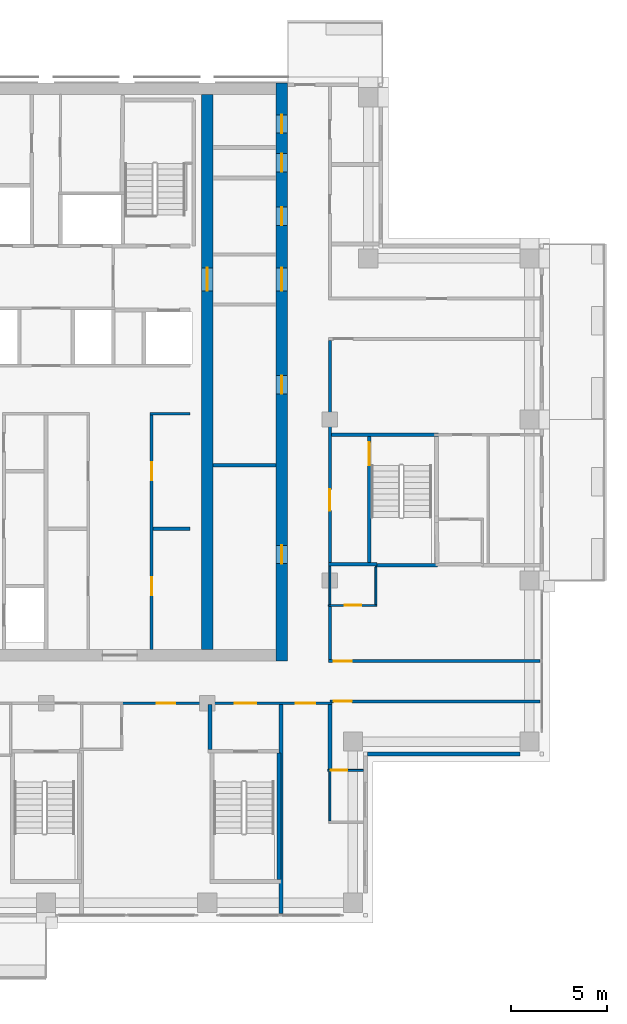
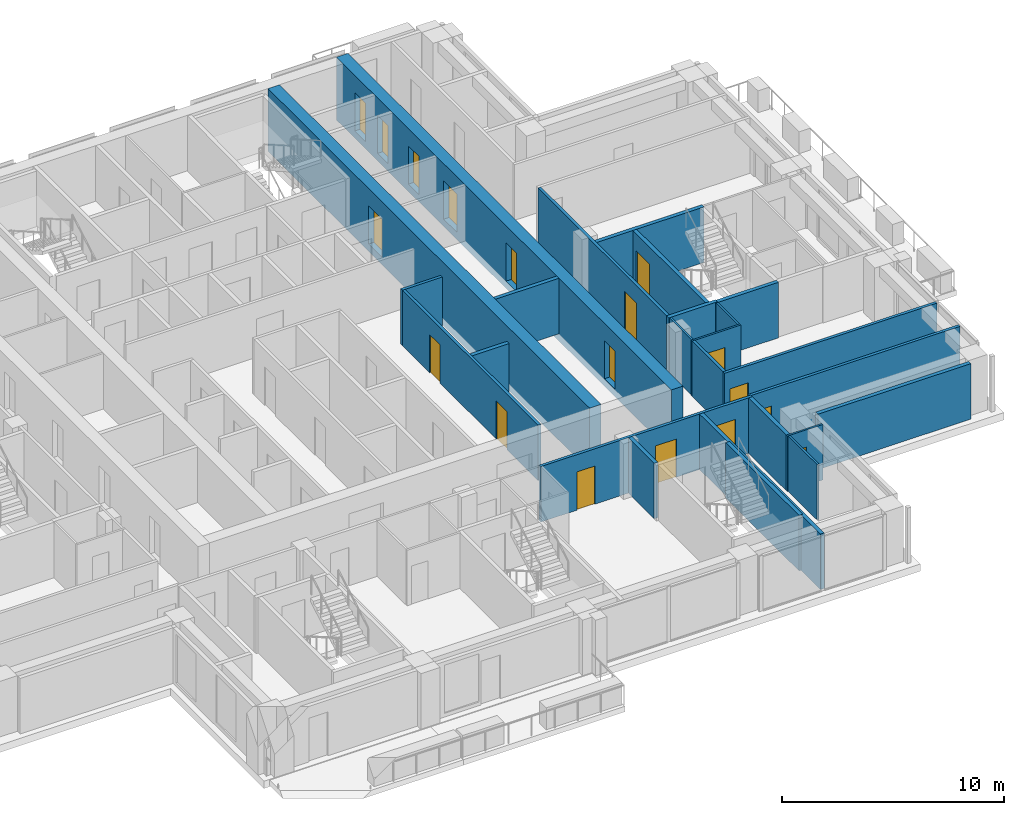
# One storey, part 9 of 17: 25 walls, 18 doors, 18 openings.
"""IFC4 building model written with IfcOpenShell, lengths in metres."""

from ifc_helpers import new_model, si_unit, direction, frame, frame_2d, origin, place, context, subcontext, project, spatial, rectangle, extrude, material, layer, layer_set, type_object, element, fill, save


model = new_model("IFC4")

# Units and contexts
model_context = context("Model", 3, precision=1e-05, world=origin(), true_north=direction((0.0, 1.0)))
body_context = subcontext(model_context, "Body", "Model", "MODEL_VIEW")
ifc_project = project(units=[si_unit("LENGTHUNIT", "METRE"), si_unit("AREAUNIT", "SQUARE_METRE"), si_unit("VOLUMEUNIT", "CUBIC_METRE"), si_unit("PLANEANGLEUNIT", "RADIAN"), si_unit("MASSUNIT", "GRAM", prefix="KILO")], contexts=[model_context])

# Site, building, storey
site_placement = place(None, origin())
site = spatial("IfcSite", under=ifc_project, at=site_placement, CompositionType="ELEMENT")
building_placement = place(site_placement, origin())
building = spatial("IfcBuilding", under=site, at=building_placement, Name="Vermilion Ogive Tower", CompositionType="ELEMENT")
storey_placement = place(building_placement, frame((0.0, 0.0, 196.25)))
storey = spatial("IfcBuildingStorey", under=building, at=storey_placement, Name="L51", CompositionType="ELEMENT", Elevation=196.25)

# Wall, openings, doors
ifc_material_1 = material(Name="Concrete B60", Category="concrete")
ifc_layer_1 = layer(ifc_material_1, 0.60009765625)
ifc_layer_set_1 = layer_set([ifc_layer_1], Name="Core wall 600 B60")
wall_type_1 = type_object("IfcWallType", Name="Core wall 600 B60", PredefinedType="SHEAR", material=ifc_layer_set_1)
wall_1_placement = place(storey_placement, frame((12.300048828125, -8.39990234375, -0.39990234375), z_axis=(0.0, 0.0, 1.0), x_axis=(0.0, 1.0, 0.0)))
wall_1 = element("IfcWall", 1, at=wall_1_placement, inside=storey, type_object=wall_type_1, Name="L51-CORE-E", PredefinedType="SHEAR", context=body_context, shape_type="SweptSolid", body=[
    extrude(rectangle(XDim=30.14990234375, YDim=0.60009765625, at=frame_2d((15.074951171875, 0.0))), origin(), (0.0, 0.0, 1.0), 3.449951171875),
])
opening_1_placement = place(wall_1_placement, frame((5.0830078125, 0.0, 0.39990234375)))
opening_1 = element("IfcOpeningElement", 2, at=opening_1_placement, cuts=wall_1, Name="Opening DAC078", PredefinedType="OPENING", context=body_context, shape_type="SweptSolid", body=[
    extrude(rectangle(XDim=0.949951171875, YDim=2.10009765625, at=frame_2d((0.47509765625, 1.050048828125))), frame((0.0, 0.31005859375, 0.0), z_axis=(0.0, -1.0, 0.0), x_axis=(1.0, 0.0, 0.0)), (0.0, 0.0, 1.0), 0.6201171875),
])
opening_2_placement = place(wall_1_placement, frame((13.932861328125, 0.0, 0.39990234375)))
opening_2 = element("IfcOpeningElement", 3, at=opening_2_placement, cuts=wall_1, Name="Opening DAC079", PredefinedType="OPENING", context=body_context, shape_type="SweptSolid", body=[
    extrude(rectangle(XDim=0.949951171875, YDim=2.10009765625, at=frame_2d((0.47509765625, 1.050048828125))), frame((0.0, 0.31005859375, 0.0), z_axis=(0.0, -1.0, 0.0), x_axis=(1.0, 0.0, 0.0)), (0.0, 0.0, 1.0), 0.6201171875),
])
opening_3_placement = place(wall_1_placement, frame((22.718994140625, 0.0, 0.39990234375)))
opening_3 = element("IfcOpeningElement", 4, at=opening_3_placement, cuts=wall_1, Name="Opening DAC080", PredefinedType="OPENING", context=body_context, shape_type="SweptSolid", body=[
    extrude(rectangle(XDim=0.949951171875, YDim=2.10009765625, at=frame_2d((0.47509765625, 1.050048828125))), frame((0.0, 0.31005859375, 0.0), z_axis=(0.0, -1.0, 0.0), x_axis=(1.0, 0.0, 0.0)), (0.0, 0.0, 1.0), 0.6201171875),
])
opening_4_placement = place(wall_1_placement, frame((25.505615234375, 0.0, 0.39990234375)))
opening_4 = element("IfcOpeningElement", 5, at=opening_4_placement, cuts=wall_1, Name="Opening DAC081", PredefinedType="OPENING", context=body_context, shape_type="SweptSolid", body=[
    extrude(rectangle(XDim=0.949951171875, YDim=2.10009765625, at=frame_2d((0.47509765625, 1.050048828125))), frame((0.0, 0.31005859375, 0.0), z_axis=(0.0, -1.0, 0.0), x_axis=(1.0, 0.0, 0.0)), (0.0, 0.0, 1.0), 0.6201171875),
])
opening_5_placement = place(wall_1_placement, frame((27.53662109375, 0.0, 0.39990234375)))
opening_5 = element("IfcOpeningElement", 6, at=opening_5_placement, cuts=wall_1, Name="Opening DAC082", PredefinedType="OPENING", context=body_context, shape_type="SweptSolid", body=[
    extrude(rectangle(XDim=0.949951171875, YDim=2.10009765625, at=frame_2d((0.47509765625, 1.050048828125))), frame((0.0, 0.31005859375, 0.0), z_axis=(0.0, -1.0, 0.0), x_axis=(1.0, 0.0, 0.0)), (0.0, 0.0, 1.0), 0.6201171875),
])
opening_6_placement = place(wall_1_placement, frame((19.300048828125, 0.0, 0.39990234375)))
opening_6 = element("IfcOpeningElement", 7, at=opening_6_placement, cuts=wall_1, Name="Opening DAL020", PredefinedType="OPENING", context=body_context, shape_type="SweptSolid", body=[
    extrude(rectangle(XDim=1.199951171875, YDim=2.10009765625, at=frame_2d((0.60009765625, 1.050048828125))), frame((0.0, 0.31005859375, 0.0), z_axis=(0.0, -1.0, 0.0), x_axis=(1.0, 0.0, 0.0)), (0.0, 0.0, 1.0), 0.6201171875),
])
ifc_material_2 = material(Name="Timber door leaf", Category="wood")
door_type_1 = type_object("IfcDoorType", Name="Link door 1200 x 2100 FD60S", OperationType="SINGLE_SWING_LEFT", PredefinedType="DOOR", material=ifc_material_2)
door_1_placement = place(opening_6_placement, origin())
door_1 = element("IfcDoor", 8, at=door_1_placement, inside=storey, type_object=door_type_1, Name="L51-CKE-XL", OperationType="SINGLE_SWING_LEFT", OverallHeight=2.10009765625, OverallWidth=1.199951171875, PredefinedType="DOOR", context=body_context, shape_type="SweptSolid", body=[
    extrude(rectangle(XDim=1.199951171875, YDim=2.10009765625, at=frame_2d((0.60009765625, 1.050048828125))), frame((0.0, 0.02490234375, 0.0), z_axis=(0.0, -1.0, 0.0), x_axis=(1.0, 0.0, 0.0)), (0.0, 0.0, 1.0), 0.050048828125),
])
fill(opening_6, door_1)
ifc_material_3 = material(Name="Timber door leaf", Category="wood")
door_type_2 = type_object("IfcDoorType", Name="Service door 950 x 2100 FD60", OperationType="SINGLE_SWING_LEFT", PredefinedType="DOOR", material=ifc_material_3)
door_2_placement = place(opening_1_placement, origin())
door_2 = element("IfcDoor", 9, at=door_2_placement, inside=storey, type_object=door_type_2, Name="L51-CKE-XR0", OperationType="SINGLE_SWING_LEFT", OverallHeight=2.10009765625, OverallWidth=0.949951171875, PredefinedType="DOOR", context=body_context, shape_type="SweptSolid", body=[
    extrude(rectangle(XDim=0.949951171875, YDim=2.10009765625, at=frame_2d((0.47509765625, 1.050048828125))), frame((0.0, 0.02490234375, 0.0), z_axis=(0.0, -1.0, 0.0), x_axis=(1.0, 0.0, 0.0)), (0.0, 0.0, 1.0), 0.050048828125),
])
fill(opening_1, door_2)
door_3_placement = place(opening_2_placement, origin())
door_3 = element("IfcDoor", 10, at=door_3_placement, inside=storey, type_object=door_type_2, Name="L51-CKE-XR1", OperationType="SINGLE_SWING_LEFT", OverallHeight=2.10009765625, OverallWidth=0.949951171875, PredefinedType="DOOR", context=body_context, shape_type="SweptSolid", body=[
    extrude(rectangle(XDim=0.949951171875, YDim=2.10009765625, at=frame_2d((0.47509765625, 1.050048828125))), frame((0.0, 0.02490234375, 0.0), z_axis=(0.0, -1.0, 0.0), x_axis=(1.0, 0.0, 0.0)), (0.0, 0.0, 1.0), 0.050048828125),
])
fill(opening_2, door_3)
door_4_placement = place(opening_3_placement, origin())
door_4 = element("IfcDoor", 11, at=door_4_placement, inside=storey, type_object=door_type_2, Name="L51-CKE-XR2", OperationType="SINGLE_SWING_LEFT", OverallHeight=2.10009765625, OverallWidth=0.949951171875, PredefinedType="DOOR", context=body_context, shape_type="SweptSolid", body=[
    extrude(rectangle(XDim=0.949951171875, YDim=2.10009765625, at=frame_2d((0.47509765625, 1.050048828125))), frame((0.0, 0.02490234375, 0.0), z_axis=(0.0, -1.0, 0.0), x_axis=(1.0, 0.0, 0.0)), (0.0, 0.0, 1.0), 0.050048828125),
])
fill(opening_3, door_4)
door_5_placement = place(opening_4_placement, origin())
door_5 = element("IfcDoor", 12, at=door_5_placement, inside=storey, type_object=door_type_2, Name="L51-CKE-XR3", OperationType="SINGLE_SWING_LEFT", OverallHeight=2.10009765625, OverallWidth=0.949951171875, PredefinedType="DOOR", context=body_context, shape_type="SweptSolid", body=[
    extrude(rectangle(XDim=0.949951171875, YDim=2.10009765625, at=frame_2d((0.47509765625, 1.050048828125))), frame((0.0, 0.02490234375, 0.0), z_axis=(0.0, -1.0, 0.0), x_axis=(1.0, 0.0, 0.0)), (0.0, 0.0, 1.0), 0.050048828125),
])
fill(opening_4, door_5)
door_6_placement = place(opening_5_placement, origin())
door_6 = element("IfcDoor", 13, at=door_6_placement, inside=storey, type_object=door_type_2, Name="L51-CKE-XR4", OperationType="SINGLE_SWING_LEFT", OverallHeight=2.10009765625, OverallWidth=0.949951171875, PredefinedType="DOOR", context=body_context, shape_type="SweptSolid", body=[
    extrude(rectangle(XDim=0.949951171875, YDim=2.10009765625, at=frame_2d((0.47509765625, 1.050048828125))), frame((0.0, 0.02490234375, 0.0), z_axis=(0.0, -1.0, 0.0), x_axis=(1.0, 0.0, 0.0)), (0.0, 0.0, 1.0), 0.050048828125),
])
fill(opening_5, door_6)

# Wall, opening, door
wall_2_placement = place(storey_placement, frame((8.39990234375, -7.800048828125, -0.39990234375), z_axis=(0.0, 0.0, 1.0), x_axis=(0.0, 1.0, 0.0)))
wall_2 = element("IfcWall", 14, at=wall_2_placement, inside=storey, type_object=wall_type_1, Name="L51-CORE-WEB2", PredefinedType="SHEAR", context=body_context, shape_type="SweptSolid", body=[
    extrude(rectangle(XDim=28.949951171875, YDim=0.60009765625, at=frame_2d((14.47509765625, 0.0))), origin(), (0.0, 0.0, 1.0), 3.449951171875),
])
opening_7_placement = place(wall_2_placement, frame((18.699951171875, 0.0, 0.39990234375)))
opening_7 = element("IfcOpeningElement", 15, at=opening_7_placement, cuts=wall_2, Name="Opening DAO015", PredefinedType="OPENING", context=body_context, shape_type="SweptSolid", body=[
    extrude(rectangle(XDim=1.199951171875, YDim=2.10009765625, at=frame_2d((0.60009765625, 1.050048828125))), frame((0.0, 0.31005859375, 0.0), z_axis=(0.0, -1.0, 0.0), x_axis=(1.0, 0.0, 0.0)), (0.0, 0.0, 1.0), 0.6201171875),
])
door_7_placement = place(opening_7_placement, origin())
door_7 = element("IfcDoor", 16, at=door_7_placement, inside=storey, type_object=door_type_1, Name="L51-CKE-XW", OperationType="SINGLE_SWING_LEFT", OverallHeight=2.10009765625, OverallWidth=1.199951171875, PredefinedType="DOOR", context=body_context, shape_type="SweptSolid", body=[
    extrude(rectangle(XDim=1.199951171875, YDim=2.10009765625, at=frame_2d((0.60009765625, 1.050048828125))), frame((0.0, 0.02490234375, 0.0), z_axis=(0.0, -1.0, 0.0), x_axis=(1.0, 0.0, 0.0)), (0.0, 0.0, 1.0), 0.050048828125),
])
fill(opening_7, door_7)

ifc_material_4 = material(Name="Gypsum board partition on steel studs", Category="steel")
ifc_layer_2 = layer(ifc_material_4, 0.10009765625)
ifc_layer_set_2 = layer_set([ifc_layer_2], Name="Partition 100 bath")
wall_type_2 = type_object("IfcWallType", Name="Partition 100 bath", PredefinedType="PARTITIONING", material=ifc_layer_set_2)
wall_3_placement = place(storey_placement, frame((14.699951171875, -14.10009765625, 0.0), z_axis=(0.0, 0.0, 1.0), x_axis=(1.0, 0.0, 0.0)))
wall_3 = element("IfcWall", 17, at=wall_3_placement, inside=storey, type_object=wall_type_2, Name="L51-W-W006", PredefinedType="PARTITIONING", context=body_context, shape_type="SweptSolid", body=[
    extrude(rectangle(XDim=1.85009765625, YDim=0.10009765625, at=frame_2d((0.925048828125, 0.0))), origin(), (0.0, 0.0, 1.0), 3.050048828125),
])
opening_8_placement = place(wall_3_placement, frame((0.14990234375, 0.0, 0.0)))
opening_8 = element("IfcOpeningElement", 18, at=opening_8_placement, cuts=wall_3, Name="Opening D4G3016", PredefinedType="OPENING", context=body_context, shape_type="SweptSolid", body=[
    extrude(rectangle(XDim=0.85009765625, YDim=2.10009765625, at=frame_2d((0.425048828125, 1.050048828125))), frame((0.0, 0.06005859375, 0.0), z_axis=(0.0, -1.0, 0.0), x_axis=(1.0, 0.0, 0.0)), (0.0, 0.0, 1.0), 0.1201171875),
])
ifc_material_5 = material(Name="Timber door leaf", Category="wood")
door_type_3 = type_object("IfcDoorType", Name="Bath door 850 x 2100 FD30", OperationType="SINGLE_SWING_LEFT", PredefinedType="DOOR", material=ifc_material_5)
door_8_placement = place(opening_8_placement, origin())
door_8 = element("IfcDoor", 19, at=door_8_placement, inside=storey, type_object=door_type_3, Name="L51-D-D016", OperationType="SINGLE_SWING_RIGHT", OverallHeight=2.10009765625, OverallWidth=0.85009765625, PredefinedType="DOOR", context=body_context, shape_type="SweptSolid", body=[
    extrude(rectangle(XDim=0.85009765625, YDim=2.10009765625, at=frame_2d((0.425048828125, 1.050048828125))), frame((0.0, 0.02490234375, 0.0), z_axis=(0.0, -1.0, 0.0), x_axis=(1.0, 0.0, 0.0)), (0.0, 0.0, 1.0), 0.050048828125),
])
fill(opening_8, door_8)

wall_4_placement = place(storey_placement, frame((14.72509765625, -5.5, 0.0), z_axis=(0.0, 0.0, 1.0), x_axis=(1.0, 0.0, 0.0)))
wall_4 = element("IfcWall", 20, at=wall_4_placement, inside=storey, type_object=wall_type_2, Name="L51-W-W022", PredefinedType="PARTITIONING", context=body_context, shape_type="SweptSolid", body=[
    extrude(rectangle(XDim=2.52490234375, YDim=0.10009765625, at=frame_2d((1.262451171875, 0.0))), origin(), (0.0, 0.0, 1.0), 3.050048828125),
])
opening_9_placement = place(wall_4_placement, frame((0.849853515625, 0.0, 0.0)))
opening_9 = element("IfcOpeningElement", 21, at=opening_9_placement, cuts=wall_4, Name="Opening D4G3018", PredefinedType="OPENING", context=body_context, shape_type="SweptSolid", body=[
    extrude(rectangle(XDim=0.85009765625, YDim=2.10009765625, at=frame_2d((0.425048828125, 1.050048828125))), frame((0.0, 0.06005859375, 0.0), z_axis=(0.0, -1.0, 0.0), x_axis=(1.0, 0.0, 0.0)), (0.0, 0.0, 1.0), 0.1201171875),
])
door_9_placement = place(opening_9_placement, origin())
door_9 = element("IfcDoor", 22, at=door_9_placement, inside=storey, type_object=door_type_3, Name="L51-D-D018", OperationType="SINGLE_SWING_LEFT", OverallHeight=2.10009765625, OverallWidth=0.85009765625, PredefinedType="DOOR", context=body_context, shape_type="SweptSolid", body=[
    extrude(rectangle(XDim=0.85009765625, YDim=2.10009765625, at=frame_2d((0.425048828125, 1.050048828125))), frame((0.0, 0.02490234375, 0.0), z_axis=(0.0, -1.0, 0.0), x_axis=(1.0, 0.0, 0.0)), (0.0, 0.0, 1.0), 0.050048828125),
])
fill(opening_9, door_9)

# Walls
wall_5_placement = place(storey_placement, frame((14.800048828125, -16.748046875, 0.0), z_axis=(0.0, 0.0, 1.0), x_axis=(0.0, 1.0, 0.0)))
element("IfcWall", 23, at=wall_5_placement, inside=storey, type_object=wall_type_2, Name="L51-W-W073", PredefinedType="PARTITIONING", context=body_context, shape_type="SweptSolid", body=[
    extrude(rectangle(XDim=2.59814453125, YDim=0.10009765625, at=frame_2d((1.299072265625, 0.0))), origin(), (0.0, 0.0, 1.0), 3.050048828125),
])
wall_6_placement = place(storey_placement, frame((14.800048828125, -5.449951171875, 0.0), z_axis=(0.0, 0.0, 1.0), x_axis=(0.0, 1.0, 0.0)))
element("IfcWall", 24, at=wall_6_placement, inside=storey, type_object=wall_type_2, Name="L51-W-W076", PredefinedType="PARTITIONING", context=body_context, shape_type="SweptSolid", body=[
    extrude(rectangle(XDim=2.0, YDim=0.10009765625, at=frame_2d((1.0, 0.0))), origin(), (0.0, 0.0, 1.0), 3.050048828125),
])
wall_7_placement = place(storey_placement, frame((17.199951171875, -5.449951171875, 0.0), z_axis=(0.0, 0.0, 1.0), x_axis=(0.0, 1.0, 0.0)))
element("IfcWall", 25, at=wall_7_placement, inside=storey, type_object=wall_type_2, Name="L51-W-W080", PredefinedType="PARTITIONING", context=body_context, shape_type="SweptSolid", body=[
    extrude(rectangle(XDim=1.949951171875, YDim=0.10009765625, at=frame_2d((0.97509765625, 0.0))), origin(), (0.0, 0.0, 1.0), 3.050048828125),
])

# Wall, openings, doors
ifc_material_6 = material(Name="Gypsum board partition on steel studs", Category="steel")
ifc_layer_3 = layer(ifc_material_6, 0.14990234375)
ifc_layer_set_3 = layer_set([ifc_layer_3], Name="Partition 150 corridor")
wall_type_3 = type_object("IfcWallType", Name="Partition 150 corridor", PredefinedType="PARTITIONING", material=ifc_layer_set_3)
wall_8_placement = place(storey_placement, frame((3.89990234375, -10.60009765625, 0.0), z_axis=(0.0, 0.0, 1.0), x_axis=(1.0, 0.0, 0.0)))
wall_8 = element("IfcWall", 26, at=wall_8_placement, inside=storey, type_object=wall_type_3, Name="L51-W-W016", PredefinedType="PARTITIONING", context=body_context, shape_type="SweptSolid", body=[
    extrude(rectangle(XDim=11.0, YDim=0.14990234375, at=frame_2d((5.5, 0.0))), origin(), (0.0, 0.0, 1.0), 3.050048828125),
])
opening_10_placement = place(wall_8_placement, frame((1.875, 0.0, 0.0)))
opening_10 = element("IfcOpeningElement", 27, at=opening_10_placement, cuts=wall_8, Name="Opening D4G3013", PredefinedType="OPENING", context=body_context, shape_type="SweptSolid", body=[
    extrude(rectangle(XDim=0.949951171875, YDim=2.10009765625, at=frame_2d((0.47509765625, 1.050048828125))), frame((0.0, 0.0849609375, 0.0), z_axis=(0.0, -1.0, 0.0), x_axis=(1.0, 0.0, 0.0)), (0.0, 0.0, 1.0), 0.169921875),
])
opening_11_placement = place(wall_8_placement, frame((5.9501953125, 0.0, 0.0)))
opening_11 = element("IfcOpeningElement", 28, at=opening_11_placement, cuts=wall_8, Name="Opening D4G3029", PredefinedType="OPENING", context=body_context, shape_type="SweptSolid", body=[
    extrude(rectangle(XDim=1.10009765625, YDim=2.10009765625, at=frame_2d((0.550048828125, 1.050048828125))), frame((0.0, 0.0849609375, 0.0), z_axis=(0.0, -1.0, 0.0), x_axis=(1.0, 0.0, 0.0)), (0.0, 0.0, 1.0), 0.169921875),
])
opening_12_placement = place(wall_8_placement, frame((9.125, 0.0, 0.0)))
opening_12 = element("IfcOpeningElement", 29, at=opening_12_placement, cuts=wall_8, Name="Opening D4G3036", PredefinedType="OPENING", context=body_context, shape_type="SweptSolid", body=[
    extrude(rectangle(XDim=1.0, YDim=2.10009765625, at=frame_2d((0.5, 1.050048828125))), frame((0.0, 0.0849609375, 0.0), z_axis=(0.0, -1.0, 0.0), x_axis=(1.0, 0.0, 0.0)), (0.0, 0.0, 1.0), 0.169921875),
])
ifc_material_7 = material(Name="Timber door leaf", Category="wood")
door_type_4 = type_object("IfcDoorType", Name="Stair door 1100 x 2100 FD60S", OperationType="SINGLE_SWING_LEFT", PredefinedType="DOOR", material=ifc_material_7)
door_10_placement = place(opening_11_placement, origin())
door_10 = element("IfcDoor", 30, at=door_10_placement, inside=storey, type_object=door_type_4, Name="L51-D-D029", OperationType="SINGLE_SWING_LEFT", OverallHeight=2.10009765625, OverallWidth=1.10009765625, PredefinedType="DOOR", context=body_context, shape_type="SweptSolid", body=[
    extrude(rectangle(XDim=1.10009765625, YDim=2.10009765625, at=frame_2d((0.550048828125, 1.050048828125))), frame((0.0, 0.02490234375, 0.0), z_axis=(0.0, -1.0, 0.0), x_axis=(1.0, 0.0, 0.0)), (0.0, 0.0, 1.0), 0.050048828125),
])
fill(opening_11, door_10)
ifc_material_8 = material(Name="Timber door leaf", Category="wood")
door_type_5 = type_object("IfcDoorType", Name="Unit door 1000 x 2100 FD30S", OperationType="SINGLE_SWING_LEFT", PredefinedType="DOOR", material=ifc_material_8)
door_11_placement = place(opening_12_placement, origin())
door_11 = element("IfcDoor", 31, at=door_11_placement, inside=storey, type_object=door_type_5, Name="L51-D-D036", OperationType="SINGLE_SWING_LEFT", OverallHeight=2.10009765625, OverallWidth=1.0, PredefinedType="DOOR", context=body_context, shape_type="SweptSolid", body=[
    extrude(rectangle(XDim=1.0, YDim=2.10009765625, at=frame_2d((0.5, 1.050048828125))), frame((0.0, 0.02490234375, 0.0), z_axis=(0.0, -1.0, 0.0), x_axis=(1.0, 0.0, 0.0)), (0.0, 0.0, 1.0), 0.050048828125),
])
fill(opening_12, door_11)
ifc_material_9 = material(Name="Timber door leaf", Category="wood")
door_type_6 = type_object("IfcDoorType", Name="Unit door 950 x 2100 FD30S", OperationType="SINGLE_SWING_LEFT", PredefinedType="DOOR", material=ifc_material_9)
door_12_placement = place(opening_10_placement, origin())
door_12 = element("IfcDoor", 32, at=door_12_placement, inside=storey, type_object=door_type_6, Name="L51-D-D013", OperationType="SINGLE_SWING_LEFT", OverallHeight=2.10009765625, OverallWidth=0.949951171875, PredefinedType="DOOR", context=body_context, shape_type="SweptSolid", body=[
    extrude(rectangle(XDim=0.949951171875, YDim=2.10009765625, at=frame_2d((0.47509765625, 1.050048828125))), frame((0.0, 0.02490234375, 0.0), z_axis=(0.0, -1.0, 0.0), x_axis=(1.0, 0.0, 0.0)), (0.0, 0.0, 1.0), 0.050048828125),
])
fill(opening_10, door_12)

# Wall, opening, door
wall_9_placement = place(storey_placement, frame((14.800048828125, -10.5, 0.0), z_axis=(0.0, 0.0, 1.0), x_axis=(1.0, 0.0, 0.0)))
wall_9 = element("IfcWall", 33, at=wall_9_placement, inside=storey, type_object=wall_type_3, Name="L51-W-W018", PredefinedType="PARTITIONING", context=body_context, shape_type="SweptSolid", body=[
    extrude(rectangle(XDim=10.949951171875, YDim=0.14990234375, at=frame_2d((5.47509765625, 0.0))), origin(), (0.0, 0.0, 1.0), 3.050048828125),
])
opening_13_placement = place(wall_9_placement, frame((0.199951171875, 0.0, 0.0)))
opening_13 = element("IfcOpeningElement", 34, at=opening_13_placement, cuts=wall_9, Name="Opening D4G3015", PredefinedType="OPENING", context=body_context, shape_type="SweptSolid", body=[
    extrude(rectangle(XDim=0.949951171875, YDim=2.10009765625, at=frame_2d((0.47509765625, 1.050048828125))), frame((0.0, 0.0849609375, 0.0), z_axis=(0.0, -1.0, 0.0), x_axis=(1.0, 0.0, 0.0)), (0.0, 0.0, 1.0), 0.169921875),
])
door_13_placement = place(opening_13_placement, origin())
door_13 = element("IfcDoor", 35, at=door_13_placement, inside=storey, type_object=door_type_6, Name="L51-D-D015", OperationType="SINGLE_SWING_RIGHT", OverallHeight=2.10009765625, OverallWidth=0.949951171875, PredefinedType="DOOR", context=body_context, shape_type="SweptSolid", body=[
    extrude(rectangle(XDim=0.949951171875, YDim=2.10009765625, at=frame_2d((0.47509765625, 1.050048828125))), frame((0.0, 0.02490234375, 0.0), z_axis=(0.0, -1.0, 0.0), x_axis=(1.0, 0.0, 0.0)), (0.0, 0.0, 1.0), 0.050048828125),
])
fill(opening_13, door_13)

wall_10_placement = place(storey_placement, frame((14.72509765625, -8.39990234375, 0.0), z_axis=(0.0, 0.0, 1.0), x_axis=(1.0, 0.0, 0.0)))
wall_10 = element("IfcWall", 36, at=wall_10_placement, inside=storey, type_object=wall_type_3, Name="L51-W-W020", PredefinedType="PARTITIONING", context=body_context, shape_type="SweptSolid", body=[
    extrude(rectangle(XDim=11.02490234375, YDim=0.14990234375, at=frame_2d((5.512451171875, 0.0))), origin(), (0.0, 0.0, 1.0), 3.050048828125),
])
opening_14_placement = place(wall_10_placement, frame((0.27490234375, 0.0, 0.0)))
opening_14 = element("IfcOpeningElement", 37, at=opening_14_placement, cuts=wall_10, Name="Opening D4G3017", PredefinedType="OPENING", context=body_context, shape_type="SweptSolid", body=[
    extrude(rectangle(XDim=0.949951171875, YDim=2.10009765625, at=frame_2d((0.47509765625, 1.050048828125))), frame((0.0, 0.0849609375, 0.0), z_axis=(0.0, -1.0, 0.0), x_axis=(1.0, 0.0, 0.0)), (0.0, 0.0, 1.0), 0.169921875),
])
door_14_placement = place(opening_14_placement, origin())
door_14 = element("IfcDoor", 38, at=door_14_placement, inside=storey, type_object=door_type_6, Name="L51-D-D017", OperationType="SINGLE_SWING_LEFT", OverallHeight=2.10009765625, OverallWidth=0.949951171875, PredefinedType="DOOR", context=body_context, shape_type="SweptSolid", body=[
    extrude(rectangle(XDim=0.949951171875, YDim=2.10009765625, at=frame_2d((0.47509765625, 1.050048828125))), frame((0.0, 0.02490234375, 0.0), z_axis=(0.0, -1.0, 0.0), x_axis=(1.0, 0.0, 0.0)), (0.0, 0.0, 1.0), 0.050048828125),
])
fill(opening_14, door_14)

# Wall
wall_11_placement = place(storey_placement, frame((14.800048828125, -8.324951171875, 0.0), z_axis=(0.0, 0.0, 1.0), x_axis=(0.0, 1.0, 0.0)))
element("IfcWall", 39, at=wall_11_placement, inside=storey, type_object=wall_type_3, Name="L51-W-W075", PredefinedType="PARTITIONING", context=body_context, shape_type="SweptSolid", body=[
    extrude(rectangle(XDim=2.77490234375, YDim=0.14990234375, at=frame_2d((1.387451171875, 0.0))), origin(), (0.0, 0.0, 1.0), 3.050048828125),
])

# Wall, opening, door
wall_12_placement = place(storey_placement, frame((14.800048828125, -3.35009765625, 0.0), z_axis=(0.0, 0.0, 1.0), x_axis=(0.0, 1.0, 0.0)))
wall_12 = element("IfcWall", 40, at=wall_12_placement, inside=storey, type_object=wall_type_3, Name="L51-W-W077", PredefinedType="PARTITIONING", context=body_context, shape_type="SweptSolid", body=[
    extrude(rectangle(XDim=11.675048828125, YDim=0.14990234375, at=frame_2d((5.83740234375, 0.0))), origin(), (0.0, 0.0, 1.0), 3.050048828125),
])
opening_15_placement = place(wall_12_placement, frame((2.800048828125, 0.0, 0.0)))
opening_15 = element("IfcOpeningElement", 41, at=opening_15_placement, cuts=wall_12, Name="Opening D4G3031", PredefinedType="OPENING", context=body_context, shape_type="SweptSolid", body=[
    extrude(rectangle(XDim=1.10009765625, YDim=2.10009765625, at=frame_2d((0.550048828125, 1.050048828125))), frame((0.0, 0.0849609375, 0.0), z_axis=(0.0, -1.0, 0.0), x_axis=(1.0, 0.0, 0.0)), (0.0, 0.0, 1.0), 0.169921875),
])
door_15_placement = place(opening_15_placement, origin())
door_15 = element("IfcDoor", 42, at=door_15_placement, inside=storey, type_object=door_type_4, Name="L51-D-D031", OperationType="SINGLE_SWING_LEFT", OverallHeight=2.10009765625, OverallWidth=1.10009765625, PredefinedType="DOOR", context=body_context, shape_type="SweptSolid", body=[
    extrude(rectangle(XDim=1.10009765625, YDim=2.10009765625, at=frame_2d((0.550048828125, 1.050048828125))), frame((0.0, 0.02490234375, 0.0), z_axis=(0.0, -1.0, 0.0), x_axis=(1.0, 0.0, 0.0)), (0.0, 0.0, 1.0), 0.050048828125),
])
fill(opening_15, door_15)

# Wall
wall_13_placement = place(storey_placement, frame((5.425048828125, 4.5, 0.0), z_axis=(0.0, 0.0, 1.0), x_axis=(1.0, 0.0, 0.0)))
element("IfcWall", 43, at=wall_13_placement, inside=storey, type_object=wall_type_3, Name="L51-CK-W-W010", PredefinedType="PARTITIONING", context=body_context, shape_type="SweptSolid", body=[
    extrude(rectangle(XDim=2.074951171875, YDim=0.14990234375, at=frame_2d((1.03759765625, 0.0))), origin(), (0.0, 0.0, 1.0), 3.050048828125),
])

# Wall, openings, doors
wall_14_placement = place(storey_placement, frame((5.5, -7.799072265625, 0.0), z_axis=(0.0, 0.0, 1.0), x_axis=(0.0, 1.0, 0.0)))
wall_14 = element("IfcWall", 44, at=wall_14_placement, inside=storey, type_object=wall_type_3, Name="L51-CK-W-W038", PredefinedType="PARTITIONING", context=body_context, shape_type="SweptSolid", body=[
    extrude(rectangle(XDim=12.22412109375, YDim=0.14990234375, at=frame_2d((6.112060546875, 0.0))), origin(), (0.0, 0.0, 1.0), 3.050048828125),
])
opening_16_placement = place(wall_14_placement, frame((2.823974609375, 0.0, 0.0)))
opening_16 = element("IfcOpeningElement", 45, at=opening_16_placement, cuts=wall_14, Name="Opening DAA452", PredefinedType="OPENING", context=body_context, shape_type="SweptSolid", body=[
    extrude(rectangle(XDim=0.949951171875, YDim=2.10009765625, at=frame_2d((0.47509765625, 1.050048828125))), frame((0.0, 0.0849609375, 0.0), z_axis=(0.0, -1.0, 0.0), x_axis=(1.0, 0.0, 0.0)), (0.0, 0.0, 1.0), 0.169921875),
])
opening_17_placement = place(wall_14_placement, frame((8.823974609375, 0.0, 0.0)))
opening_17 = element("IfcOpeningElement", 46, at=opening_17_placement, cuts=wall_14, Name="Opening DAA453", PredefinedType="OPENING", context=body_context, shape_type="SweptSolid", body=[
    extrude(rectangle(XDim=0.949951171875, YDim=2.10009765625, at=frame_2d((0.47509765625, 1.050048828125))), frame((0.0, 0.0849609375, 0.0), z_axis=(0.0, -1.0, 0.0), x_axis=(1.0, 0.0, 0.0)), (0.0, 0.0, 1.0), 0.169921875),
])
door_16_placement = place(opening_16_placement, origin())
door_16 = element("IfcDoor", 47, at=door_16_placement, inside=storey, type_object=door_type_2, Name="L51-CK-D-D010", OperationType="SINGLE_SWING_LEFT", OverallHeight=2.10009765625, OverallWidth=0.949951171875, PredefinedType="DOOR", context=body_context, shape_type="SweptSolid", body=[
    extrude(rectangle(XDim=0.949951171875, YDim=2.10009765625, at=frame_2d((0.47509765625, 1.050048828125))), frame((0.0, 0.02490234375, 0.0), z_axis=(0.0, -1.0, 0.0), x_axis=(1.0, 0.0, 0.0)), (0.0, 0.0, 1.0), 0.050048828125),
])
fill(opening_16, door_16)
door_17_placement = place(opening_17_placement, origin())
door_17 = element("IfcDoor", 48, at=door_17_placement, inside=storey, type_object=door_type_2, Name="L51-CK-D-D011", OperationType="SINGLE_SWING_LEFT", OverallHeight=2.10009765625, OverallWidth=0.949951171875, PredefinedType="DOOR", context=body_context, shape_type="SweptSolid", body=[
    extrude(rectangle(XDim=0.949951171875, YDim=2.10009765625, at=frame_2d((0.47509765625, 1.050048828125))), frame((0.0, 0.02490234375, 0.0), z_axis=(0.0, -1.0, 0.0), x_axis=(1.0, 0.0, 0.0)), (0.0, 0.0, 1.0), 0.050048828125),
])
fill(opening_17, door_17)

# Walls
ifc_material_10 = material(Name="Gypsum board partition on steel studs", Category="steel")
ifc_layer_4 = layer(ifc_material_10, 0.199951171875)
ifc_layer_set_4 = layer_set([ifc_layer_4], Name="Partition 200 party")
wall_type_4 = type_object("IfcWallType", Name="Partition 200 party", PredefinedType="PARTITIONING", material=ifc_layer_set_4)
wall_15_placement = place(storey_placement, frame((8.550048828125, -12.998046875, 0.0), z_axis=(0.0, 0.0, 1.0), x_axis=(0.0, 1.0, 0.0)))
element("IfcWall", 49, at=wall_15_placement, inside=storey, type_object=wall_type_4, Name="L51-W-W069", PredefinedType="PARTITIONING", context=body_context, shape_type="SweptSolid", body=[
    extrude(rectangle(XDim=2.322998046875, YDim=0.199951171875, at=frame_2d((1.16162109375, 0.0))), origin(), (0.0, 0.0, 1.0), 3.050048828125),
])
wall_16_placement = place(storey_placement, frame((14.800048828125, -14.050048828125, 0.0), z_axis=(0.0, 0.0, 1.0), x_axis=(0.0, 1.0, 0.0)))
element("IfcWall", 50, at=wall_16_placement, inside=storey, type_object=wall_type_4, Name="L51-W-W074", PredefinedType="PARTITIONING", context=body_context, shape_type="SweptSolid", body=[
    extrude(rectangle(XDim=3.375, YDim=0.199951171875, at=frame_2d((1.6875, 0.0))), origin(), (0.0, 0.0, 1.0), 3.050048828125),
])
wall_17_placement = place(storey_placement, frame((5.574951171875, -1.5, 0.0), z_axis=(0.0, 0.0, 1.0), x_axis=(1.0, 0.0, 0.0)))
element("IfcWall", 51, at=wall_17_placement, inside=storey, type_object=wall_type_4, Name="L51-CK-W-W005", PredefinedType="PARTITIONING", context=body_context, shape_type="SweptSolid", body=[
    extrude(rectangle(XDim=1.925048828125, YDim=0.199951171875, at=frame_2d((0.96240234375, 0.0))), origin(), (0.0, 0.0, 1.0), 3.050048828125),
])
wall_18_placement = place(storey_placement, frame((8.700927734375, 1.81591796875, 0.0), z_axis=(0.0, 0.0, 1.0), x_axis=(1.0, 0.0, 0.0)))
element("IfcWall", 52, at=wall_18_placement, inside=storey, type_object=wall_type_4, Name="L51-CKE-W-W001", PredefinedType="PARTITIONING", context=body_context, shape_type="SweptSolid", body=[
    extrude(rectangle(XDim=3.298095703125, YDim=0.199951171875, at=frame_2d((1.64892578125, 0.0))), origin(), (0.0, 0.0, 1.0), 3.050048828125),
])
ifc_material_11 = material(Name="Concrete B60", Category="concrete")
ifc_layer_5 = layer(ifc_material_11, 0.199951171875)
ifc_layer_set_5 = layer_set([ifc_layer_5], Name="Stair shaft wall 200 Concrete B60")
wall_type_5 = type_object("IfcWallType", Name="Stair shaft wall 200 Concrete B60", PredefinedType="SOLIDWALL", material=ifc_layer_set_5)
wall_19_placement = place(storey_placement, frame((14.72509765625, -3.349853515625, 0.0), z_axis=(0.0, 0.0, 1.0), x_axis=(1.0, 0.0, 0.0)))
element("IfcWall", 53, at=wall_19_placement, inside=storey, type_object=wall_type_5, Name="L51-W-W027", PredefinedType="SOLIDWALL", context=body_context, shape_type="SweptSolid", body=[
    extrude(rectangle(XDim=2.52490234375, YDim=0.199951171875, at=frame_2d((1.262451171875, 0.0))), origin(), (0.0, 0.0, 1.0), 3.050048828125),
])
wall_20_placement = place(storey_placement, frame((17.14990234375, -3.39990234375, 0.0), z_axis=(0.0, 0.0, 1.0), x_axis=(1.0, 0.0, 0.0)))
element("IfcWall", 54, at=wall_20_placement, inside=storey, type_object=wall_type_5, Name="L51-W-W028", PredefinedType="SOLIDWALL", context=body_context, shape_type="SweptSolid", body=[
    extrude(rectangle(XDim=3.25, YDim=0.199951171875, at=frame_2d((1.625, 0.0))), origin(), (0.0, 0.0, 1.0), 3.050048828125),
])
wall_21_placement = place(storey_placement, frame((14.875, 3.39990234375, 0.0), z_axis=(0.0, 0.0, 1.0), x_axis=(1.0, 0.0, 0.0)))
element("IfcWall", 55, at=wall_21_placement, inside=storey, type_object=wall_type_5, Name="L51-W-W035", PredefinedType="SOLIDWALL", context=body_context, shape_type="SweptSolid", body=[
    extrude(rectangle(XDim=5.574951171875, YDim=0.199951171875, at=frame_2d((2.78759765625, 0.0))), origin(), (0.0, 0.0, 1.0), 3.050048828125),
])
wall_22_placement = place(storey_placement, frame((12.14990234375, -19.798095703125, 0.0), z_axis=(0.0, 0.0, 1.0), x_axis=(0.0, 1.0, 0.0)))
element("IfcWall", 56, at=wall_22_placement, inside=storey, type_object=wall_type_5, Name="L51-W-W071", PredefinedType="SOLIDWALL", context=body_context, shape_type="SweptSolid", body=[
    extrude(rectangle(XDim=6.59619140625, YDim=0.199951171875, at=frame_2d((3.298095703125, 0.0))), origin(), (0.0, 0.0, 1.0), 3.050048828125),
])

# Wall, opening, door
wall_23_placement = place(storey_placement, frame((16.85009765625, -3.35009765625, 0.0), z_axis=(0.0, 0.0, 1.0), x_axis=(0.0, 1.0, 0.0)))
wall_23 = element("IfcWall", 57, at=wall_23_placement, inside=storey, type_object=wall_type_5, Name="L51-W-W079", PredefinedType="SOLIDWALL", context=body_context, shape_type="SweptSolid", body=[
    extrude(rectangle(XDim=6.650146484375, YDim=0.199951171875, at=frame_2d((3.3251953125, 0.0))), origin(), (0.0, 0.0, 1.0), 3.050048828125),
])
opening_18_placement = place(wall_23_placement, frame((5.14990234375, 0.0, 0.0)))
opening_18 = element("IfcOpeningElement", 58, at=opening_18_placement, cuts=wall_23, Name="Opening D4G3032", PredefinedType="OPENING", context=body_context, shape_type="SweptSolid", body=[
    extrude(rectangle(XDim=1.199951171875, YDim=2.10009765625, at=frame_2d((0.60009765625, 1.050048828125))), frame((0.0, 0.10986328125, 0.0), z_axis=(0.0, -1.0, 0.0), x_axis=(1.0, 0.0, 0.0)), (0.0, 0.0, 1.0), 0.219970703125),
])
ifc_material_12 = material(Name="Timber door leaf", Category="wood")
door_type_7 = type_object("IfcDoorType", Name="Stair door 1200 x 2100 FD60S", OperationType="SINGLE_SWING_LEFT", PredefinedType="DOOR", material=ifc_material_12)
door_18_placement = place(opening_18_placement, origin())
door_18 = element("IfcDoor", 59, at=door_18_placement, inside=storey, type_object=door_type_7, Name="L51-D-D032", OperationType="SINGLE_SWING_LEFT", OverallHeight=2.10009765625, OverallWidth=1.199951171875, PredefinedType="DOOR", context=body_context, shape_type="SweptSolid", body=[
    extrude(rectangle(XDim=1.199951171875, YDim=2.10009765625, at=frame_2d((0.60009765625, 1.050048828125))), frame((0.0, 0.02490234375, 0.0), z_axis=(0.0, -1.0, 0.0), x_axis=(1.0, 0.0, 0.0)), (0.0, 0.0, 1.0), 0.050048828125),
])
fill(opening_18, door_18)

# Walls
wall_24_placement = place(storey_placement, frame((12.25, -21.550048828125, 0.0), z_axis=(0.0, 0.0, 1.0), x_axis=(0.0, 1.0, 0.0)))
element("IfcWall", 60, at=wall_24_placement, inside=storey, type_object=wall_type_5, Name="L51-W-W072-A", PredefinedType="SOLIDWALL", context=body_context, shape_type="SweptSolid", body=[
    extrude(rectangle(XDim=10.875, YDim=0.199951171875, at=frame_2d((5.4375, 0.0))), origin(), (0.0, 0.0, 1.0), 3.050048828125),
])
ifc_material_13 = material(Name="Aluminium window wall framing", Category="aluminium")
ifc_layer_6 = layer(ifc_material_13, 0.199951171875)
ifc_layer_set_6 = layer_set([ifc_layer_6], Name="Window wall")
wall_type_6 = type_object("IfcWallType", Name="Window wall", PredefinedType="STANDARD", material=ifc_layer_set_6)
wall_25_placement = place(storey_placement, frame((16.75, -13.25, 0.0), z_axis=(0.0, 0.0, 1.0), x_axis=(1.0, 0.0, 0.0)))
element("IfcWall", 61, at=wall_25_placement, inside=storey, type_object=wall_type_6, Name="Window wall X21", PredefinedType="STANDARD", context=body_context, shape_type="SweptSolid", body=[
    extrude(rectangle(XDim=7.949951171875, YDim=0.199951171875, at=frame_2d((3.97509765625, 0.0))), origin(), (0.0, 0.0, 1.0), 3.050048828125),
])

save(model, "model.ifc")
